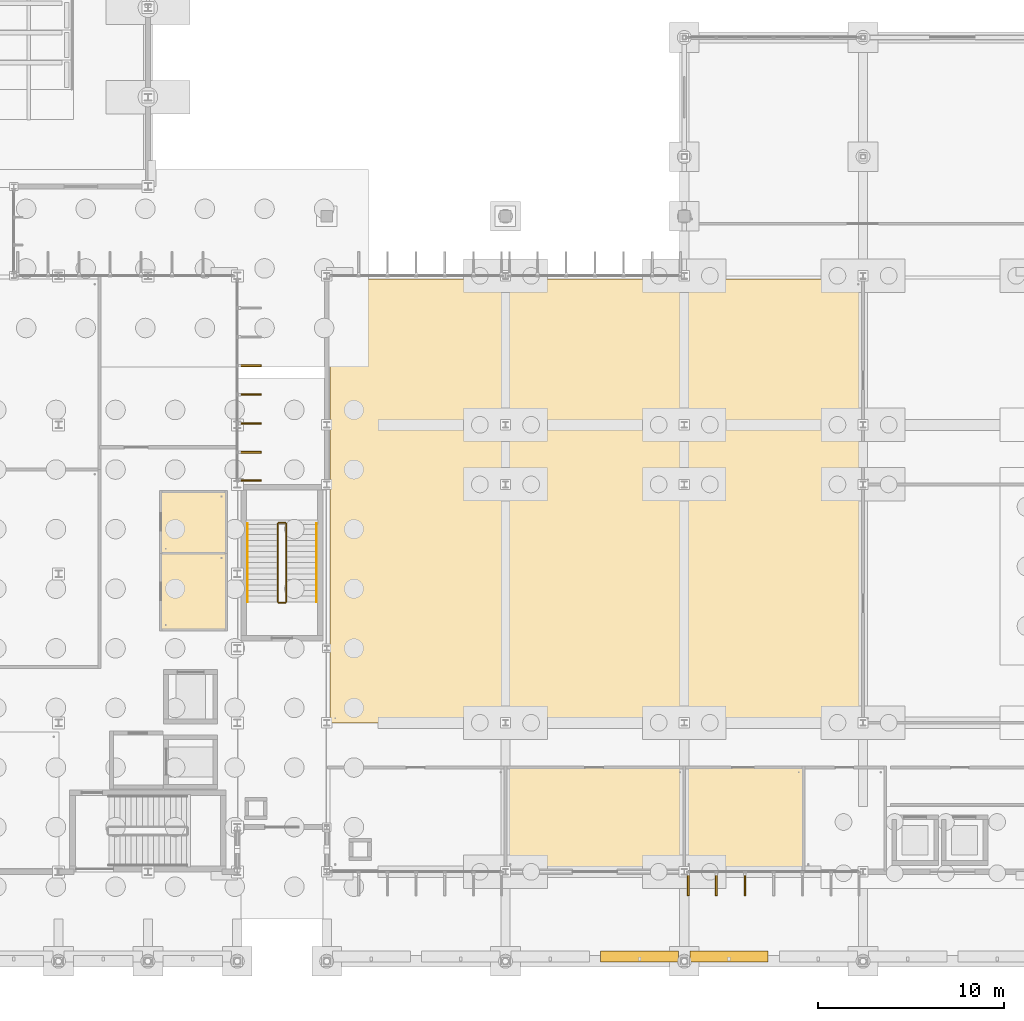
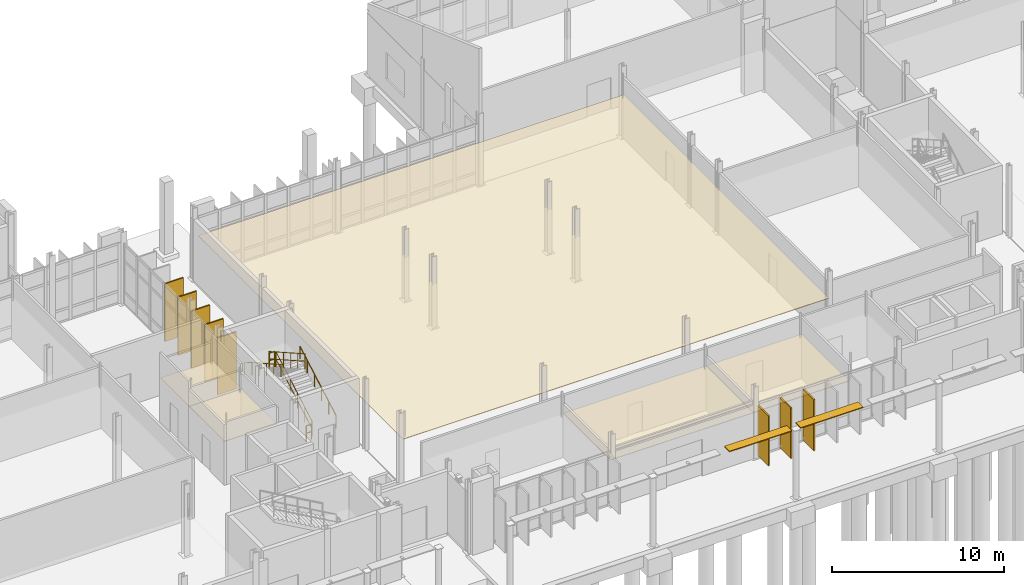
# One storey, part 103 of 111: 13 coverings, 6 railings, 2 shading devices.
"""IFC4 building model written with IfcOpenShell, lengths in metres."""

from ifc_helpers import new_model, si_unit, direction, frame, origin, origin_2d, place, context, subcontext, project, spatial, polyline, rectangle, circle, outline, extrude, material, layer, layer_set, type_object, element, save


model = new_model("IFC4")

# Units and contexts
model_context = context("Model", 3, precision=1e-05, world=origin(), true_north=direction((0.0, 1.0)))
body_context = subcontext(model_context, "Body", "Model", "MODEL_VIEW")
ifc_project = project(units=[si_unit("LENGTHUNIT", "METRE"), si_unit("AREAUNIT", "SQUARE_METRE"), si_unit("VOLUMEUNIT", "CUBIC_METRE"), si_unit("PLANEANGLEUNIT", "RADIAN"), si_unit("MASSUNIT", "GRAM", prefix="KILO")], contexts=[model_context])

# Site, building, storey
site_placement = place(None, origin())
site = spatial("IfcSite", under=ifc_project, at=site_placement, CompositionType="ELEMENT")
building_placement = place(site_placement, origin())
building = spatial("IfcBuilding", under=site, at=building_placement, Name="Dunescarp Central Library", CompositionType="ELEMENT")
storey_placement = place(building_placement, origin())
storey = spatial("IfcBuildingStorey", under=building, at=storey_placement, Name="L00", CompositionType="ELEMENT", Elevation=0.0)

# Coverings
ifc_material_1 = material(Name="Perforated birch acoustic timber baffle", Category="wood")
ifc_layer_1 = layer(ifc_material_1, 0.050048828125)
ifc_layer_set_1 = layer_set([ifc_layer_1], Name="Perforated birch acoustic timber baffle")
covering_type_1 = type_object("IfcCoveringType", Name="ARC-COV-BAFFLE", PredefinedType="CEILING", material=ifc_layer_set_1)
covering_1_placement = place(storey_placement, frame((0.0, 0.0, 3.050048828125)))
element("IfcCovering", 1, at=covering_1_placement, inside=storey, type_object=covering_type_1, Name="L00 ceiling L00 Periodical Reading Alcove", PredefinedType="CEILING", context=body_context, shape_type="SweptSolid", body=[
    extrude(outline(polyline([(57.580078125, 4.919921875), (64.02001953125, 4.919921875), (64.02001953125, 10.419921875), (57.580078125, 10.419921875), (57.580078125, 4.919921875)])), origin(), (0.0, 0.0, 1.0), 0.050048828125),
])
ifc_material_2 = material(Name="Mineral-fibre acoustic ceiling tile")
ifc_layer_2 = layer(ifc_material_2, 0.0400390625)
ifc_layer_set_2 = layer_set([ifc_layer_2], Name="Mineral-fibre acoustic ceiling tile")
covering_type_2 = type_object("IfcCoveringType", Name="ARC-COV-CEIL40", PredefinedType="CEILING", material=ifc_layer_set_2)
covering_2_placement = place(storey_placement, frame((0.0, 0.0, 3.050048828125)))
element("IfcCovering", 2, at=covering_2_placement, inside=storey, type_object=covering_type_2, Name="L00 ceiling Public Toilets", PredefinedType="CEILING", context=body_context, shape_type="SweptSolid", body=[
    extrude(outline(polyline([(29.47998046875, 17.780029296875), (33.02001953125, 17.780029296875), (33.02001953125, 21.919921875), (29.47998046875, 21.919921875), (29.47998046875, 17.780029296875)])), origin(), (0.0, 0.0, 1.0), 0.0400390625),
])
covering_3_placement = place(storey_placement, frame((0.0, 0.0, 3.050048828125)))
element("IfcCovering", 3, at=covering_3_placement, inside=storey, type_object=covering_type_2, Name="L00 ceiling Accessible Toilet", PredefinedType="CEILING", context=body_context, shape_type="SweptSolid", body=[
    extrude(outline(polyline([(29.47998046875, 21.8798828125), (33.02001953125, 21.8798828125), (33.02001953125, 25.219970703125), (29.47998046875, 25.219970703125), (29.47998046875, 21.8798828125)])), origin(), (0.0, 0.0, 1.0), 0.0400390625),
])
covering_4_placement = place(storey_placement, frame((0.0, 0.0, 3.050048828125)))
element("IfcCovering", 4, at=covering_4_placement, inside=storey, type_object=covering_type_2, Name="L00 ceiling L00 Group Study Room B", PredefinedType="CEILING", context=body_context, shape_type="SweptSolid", body=[
    extrude(outline(polyline([(47.97998046875, 4.919921875), (57.6201171875, 4.919921875), (57.6201171875, 10.419921875), (47.97998046875, 10.419921875), (47.97998046875, 4.919921875)])), origin(), (0.0, 0.0, 1.0), 0.0400390625),
])
covering_5_placement = place(storey_placement, frame((0.0, 0.0, 3.050048828125)))
element("IfcCovering", 5, at=covering_5_placement, inside=storey, type_object=covering_type_2, Name="L00 ceiling Central Book Checkout & Returns Hall", PredefinedType="CEILING", context=body_context, shape_type="SweptSolid", body=[
    extrude(outline(polyline([(38.580078125, 12.780029296875), (67.219970703125, 12.780029296875), (67.219970703125, 36.6201171875), (38.580078125, 36.6201171875), (38.580078125, 12.780029296875)])), origin(), (0.0, 0.0, 1.0), 0.0400390625),
])
ifc_material_3 = material(Name="Glass-fibre reinforced concrete GRC", Category="concrete")
ifc_layer_3 = layer(ifc_material_3, 0.090087890625)
ifc_layer_set_3 = layer_set([ifc_layer_3], Name="Glass-fibre reinforced concrete GRC")
covering_type_3 = type_object("IfcCoveringType", Name="ARC-COV-FIN1250", PredefinedType="CLADDING", material=ifc_layer_set_3)
covering_6_placement = place(storey_placement, frame((34.261962890625, 31.97509765625, 0.123046875), z_axis=(0.0, 0.0, 1.0), x_axis=(1.0, 0.0, 0.0)))
element("IfcCovering", 6, at=covering_6_placement, inside=storey, type_object=covering_type_3, Name="L00 parametric vertical facade fin FIN-L00-0029", PredefinedType="CLADDING", context=body_context, shape_type="SweptSolid", body=[
    extrude(rectangle(XDim=1.25, YDim=0.090087890625, at=origin_2d()), origin(), (0.0, 0.0, 1.0), 4.10205078125),
])
covering_7_placement = place(storey_placement, frame((34.261962890625, 30.425048828125, 0.080078125), z_axis=(0.0, 0.0, 1.0), x_axis=(1.0, 0.0, 0.0)))
element("IfcCovering", 7, at=covering_7_placement, inside=storey, type_object=covering_type_3, Name="L00 parametric vertical facade fin FIN-L00-0030", PredefinedType="CLADDING", context=body_context, shape_type="SweptSolid", body=[
    extrude(rectangle(XDim=1.25, YDim=0.090087890625, at=origin_2d()), origin(), (0.0, 0.0, 1.0), 4.134033203125),
])
covering_8_placement = place(storey_placement, frame((34.261962890625, 28.875, 0.080078125), z_axis=(0.0, 0.0, 1.0), x_axis=(1.0, 0.0, 0.0)))
element("IfcCovering", 8, at=covering_8_placement, inside=storey, type_object=covering_type_3, Name="L00 parametric vertical facade fin FIN-L00-0031", PredefinedType="CLADDING", context=body_context, shape_type="SweptSolid", body=[
    extrude(rectangle(XDim=1.25, YDim=0.090087890625, at=origin_2d()), origin(), (0.0, 0.0, 1.0), 4.083984375),
])
covering_9_placement = place(storey_placement, frame((34.261962890625, 27.324951171875, 0.08056640625), z_axis=(0.0, 0.0, 1.0), x_axis=(1.0, 0.0, 0.0)))
element("IfcCovering", 9, at=covering_9_placement, inside=storey, type_object=covering_type_3, Name="L00 parametric vertical facade fin FIN-L00-0032", PredefinedType="CLADDING", context=body_context, shape_type="SweptSolid", body=[
    extrude(rectangle(XDim=1.25, YDim=0.090087890625, at=origin_2d()), origin(), (0.0, 0.0, 1.0), 4.051025390625),
])
covering_10_placement = place(storey_placement, frame((34.261962890625, 25.81494140625, 0.07958984375), z_axis=(0.0, 0.0, 1.0), x_axis=(1.0, 0.0, 0.0)))
element("IfcCovering", 10, at=covering_10_placement, inside=storey, type_object=covering_type_3, Name="L00 parametric vertical facade fin FIN-L00-0033", PredefinedType="CLADDING", context=body_context, shape_type="SweptSolid", body=[
    extrude(rectangle(XDim=1.25, YDim=0.090087890625, at=origin_2d()), origin(), (0.0, 0.0, 1.0), 4.047119140625),
])
covering_11_placement = place(storey_placement, frame((60.85791015625, 4.137939453125, 0.080078125), z_axis=(0.0, 0.0, 1.0), x_axis=(0.0, -1.0, 0.0)))
element("IfcCovering", 11, at=covering_11_placement, inside=storey, type_object=covering_type_3, Name="L00 parametric vertical facade fin FIN-L00-0322", PredefinedType="CLADDING", context=body_context, shape_type="SweptSolid", body=[
    extrude(rectangle(XDim=1.25, YDim=0.090087890625, at=origin_2d()), origin(), (0.0, 0.0, 1.0), 3.634033203125),
])
covering_12_placement = place(storey_placement, frame((59.31689453125, 4.137939453125, 0.080078125), z_axis=(0.0, 0.0, 1.0), x_axis=(0.0, -1.0, 0.0)))
element("IfcCovering", 12, at=covering_12_placement, inside=storey, type_object=covering_type_3, Name="L00 parametric vertical facade fin FIN-L00-0323", PredefinedType="CLADDING", context=body_context, shape_type="SweptSolid", body=[
    extrude(rectangle(XDim=1.25, YDim=0.090087890625, at=origin_2d()), origin(), (0.0, 0.0, 1.0), 3.583984375),
])
covering_13_placement = place(storey_placement, frame((57.81494140625, 4.137939453125, 0.07958984375), z_axis=(0.0, 0.0, 1.0), x_axis=(0.0, -1.0, 0.0)))
element("IfcCovering", 13, at=covering_13_placement, inside=storey, type_object=covering_type_3, Name="L00 parametric vertical facade fin FIN-L00-0324", PredefinedType="CLADDING", context=body_context, shape_type="SweptSolid", body=[
    extrude(rectangle(XDim=1.25, YDim=0.090087890625, at=origin_2d()), origin(), (0.0, 0.0, 1.0), 3.551025390625),
])

# Railings
ifc_material_4 = material(Name="Stainless steel Grade 316L", Category="steel")
railing_type_1 = type_object("IfcRailingType", Name="ARC-RL-GUARD", PredefinedType="GUARDRAIL", material=ifc_material_4)
railing_1_placement = place(storey_placement, frame((36.22998046875, 19.300048828125, 0.169921875)))
element("IfcRailing", 14, at=railing_1_placement, inside=storey, type_object=railing_type_1, Name="L00 ST-2 stair guard 1", PredefinedType="GUARDRAIL", context=body_context, shape_type="SweptSolid", body=[
    extrude(circle(Radius=0.02392578125, at=origin_2d()), frame((0.0, 0.0, 1.076171875), z_axis=(0.0, 0.870008446991, 0.493036816236), x_axis=(-1.0, 0.0, 0.0)), (0.0, 0.0, 1.0), 4.827392578125),
    extrude(circle(Radius=0.02392578125, at=origin_2d()), frame((0.0, 0.0, 0.550048828125), z_axis=(0.0, 0.870008446991, 0.493036816236), x_axis=(-1.0, 0.0, 0.0)), (0.0, 0.0, 1.0), 4.827392578125),
    extrude(circle(Radius=0.02099609375, at=origin_2d()), origin(), (0.0, 0.0, 1.0), 1.052001953125),
    extrude(circle(Radius=0.02099609375, at=origin_2d()), frame((0.0, 0.840087890625, 0.47607421875)), (0.0, 0.0, 1.0), 1.052001953125),
    extrude(circle(Radius=0.02099609375, at=origin_2d()), frame((0.0, 1.679931640625, 0.9521484375)), (0.0, 0.0, 1.0), 1.052001953125),
    extrude(circle(Radius=0.02099609375, at=origin_2d()), frame((0.0, 2.52001953125, 1.427978515625)), (0.0, 0.0, 1.0), 1.052001953125),
    extrude(circle(Radius=0.02099609375, at=origin_2d()), frame((0.0, 3.35986328125, 1.904052734375)), (0.0, 0.0, 1.0), 1.052001953125),
    extrude(circle(Radius=0.02099609375, at=origin_2d()), frame((0.0, 4.199951171875, 2.380126953125)), (0.0, 0.0, 1.0), 1.052001953125),
])
railing_2_placement = place(storey_placement, frame((36.179931640625, 23.550048828125, 2.550048828125)))
element("IfcRailing", 15, at=railing_2_placement, inside=storey, type_object=railing_type_1, Name="L00 ST-2 stair guard 2", PredefinedType="GUARDRAIL", context=body_context, shape_type="SweptSolid", body=[
    extrude(circle(Radius=0.02392578125, at=origin_2d()), frame((0.0, 0.0, 1.076171875), z_axis=(-1.0, 0.0, 0.0), x_axis=(0.0, -1.0, 0.0)), (0.0, 0.0, 1.0), 0.35986328125),
    extrude(circle(Radius=0.02392578125, at=origin_2d()), frame((0.0, 0.0, 0.550048828125), z_axis=(-1.0, 0.0, 0.0), x_axis=(0.0, -1.0, 0.0)), (0.0, 0.0, 1.0), 0.35986328125),
    extrude(circle(Radius=0.02099609375, at=origin_2d()), origin(), (0.0, 0.0, 1.0), 1.052001953125),
    extrude(circle(Radius=0.02099609375, at=origin_2d()), frame((-0.35986328125, 0.0, 0.0)), (0.0, 0.0, 1.0), 1.052001953125),
])
railing_3_placement = place(storey_placement, frame((35.77001953125, 23.5, 2.719970703125)))
element("IfcRailing", 16, at=railing_3_placement, inside=storey, type_object=railing_type_1, Name="L00 ST-2 stair guard 3", PredefinedType="GUARDRAIL", context=body_context, shape_type="SweptSolid", body=[
    extrude(circle(Radius=0.02392578125, at=origin_2d()), frame((0.0, 0.0, 1.076171875), z_axis=(0.0, -0.870008446991, 0.493036816236), x_axis=(1.0, 0.0, 0.0)), (0.0, 0.0, 1.0), 4.827392578125),
    extrude(circle(Radius=0.02392578125, at=origin_2d()), frame((0.0, 0.0, 0.550048828125), z_axis=(0.0, -0.870008446991, 0.493036816236), x_axis=(1.0, 0.0, 0.0)), (0.0, 0.0, 1.0), 4.827392578125),
    extrude(circle(Radius=0.02099609375, at=origin_2d()), origin(), (0.0, 0.0, 1.0), 1.052001953125),
    extrude(circle(Radius=0.02099609375, at=origin_2d()), frame((0.0, -0.840087890625, 0.47607421875)), (0.0, 0.0, 1.0), 1.052001953125),
    extrude(circle(Radius=0.02099609375, at=origin_2d()), frame((0.0, -1.679931640625, 0.9521484375)), (0.0, 0.0, 1.0), 1.052001953125),
    extrude(circle(Radius=0.02099609375, at=origin_2d()), frame((0.0, -2.52001953125, 1.427978515625)), (0.0, 0.0, 1.0), 1.052001953125),
    extrude(circle(Radius=0.02099609375, at=origin_2d()), frame((0.0, -3.35986328125, 1.904052734375)), (0.0, 0.0, 1.0), 1.052001953125),
    extrude(circle(Radius=0.02099609375, at=origin_2d()), frame((0.0, -4.199951171875, 2.380126953125)), (0.0, 0.0, 1.0), 1.052001953125),
])
railing_4_placement = place(storey_placement, frame((36.179931640625, 19.25, 0.0)))
element("IfcRailing", 17, at=railing_4_placement, inside=storey, type_object=railing_type_1, Name="L00 ST-2 stair guard 4", PredefinedType="GUARDRAIL", context=body_context, shape_type="SweptSolid", body=[
    extrude(circle(Radius=0.02392578125, at=origin_2d()), frame((0.0, 0.0, 1.076171875), z_axis=(-1.0, 0.0, 0.0), x_axis=(0.0, -1.0, 0.0)), (0.0, 0.0, 1.0), 0.35986328125),
    extrude(circle(Radius=0.02392578125, at=origin_2d()), frame((0.0, 0.0, 0.550048828125), z_axis=(-1.0, 0.0, 0.0), x_axis=(0.0, -1.0, 0.0)), (0.0, 0.0, 1.0), 0.35986328125),
    extrude(circle(Radius=0.02099609375, at=origin_2d()), origin(), (0.0, 0.0, 1.0), 1.052001953125),
    extrude(circle(Radius=0.02099609375, at=origin_2d()), frame((-0.35986328125, 0.0, 0.0)), (0.0, 0.0, 1.0), 1.052001953125),
])
railing_type_2 = type_object("IfcRailingType", Name="ARC-RL-HAND", PredefinedType="HANDRAIL", material=ifc_material_4)
railing_5_placement = place(storey_placement, frame((37.85009765625, 19.300048828125, 0.169921875)))
element("IfcRailing", 18, at=railing_5_placement, inside=storey, type_object=railing_type_2, Name="L00 ST-2 stair handrail 1", PredefinedType="HANDRAIL", context=body_context, shape_type="SweptSolid", body=[
    extrude(circle(Radius=0.02392578125, at=origin_2d()), frame((0.0, 0.0, 0.8857421875), z_axis=(0.0, 0.870008446991, 0.493036816236), x_axis=(-1.0, 0.0, 0.0)), (0.0, 0.0, 1.0), 4.827392578125),
    extrude(circle(Radius=0.02099609375, at=origin_2d()), origin(), (0.0, 0.0, 1.0), 0.86181640625),
    extrude(circle(Radius=0.02099609375, at=origin_2d()), frame((0.0, 0.840087890625, 0.47607421875)), (0.0, 0.0, 1.0), 0.86181640625),
    extrude(circle(Radius=0.02099609375, at=origin_2d()), frame((0.0, 1.679931640625, 0.9521484375)), (0.0, 0.0, 1.0), 0.86181640625),
    extrude(circle(Radius=0.02099609375, at=origin_2d()), frame((0.0, 2.52001953125, 1.427978515625)), (0.0, 0.0, 1.0), 0.86181640625),
    extrude(circle(Radius=0.02099609375, at=origin_2d()), frame((0.0, 3.35986328125, 1.904052734375)), (0.0, 0.0, 1.0), 0.86181640625),
    extrude(circle(Radius=0.02099609375, at=origin_2d()), frame((0.0, 4.199951171875, 2.380126953125)), (0.0, 0.0, 1.0), 0.86181640625),
])
railing_6_placement = place(storey_placement, frame((34.14990234375, 23.5, 2.719970703125)))
element("IfcRailing", 19, at=railing_6_placement, inside=storey, type_object=railing_type_2, Name="L00 ST-2 stair handrail 2", PredefinedType="HANDRAIL", context=body_context, shape_type="SweptSolid", body=[
    extrude(circle(Radius=0.02392578125, at=origin_2d()), frame((0.0, 0.0, 0.8857421875), z_axis=(0.0, -0.870008446991, 0.493036816236), x_axis=(1.0, 0.0, 0.0)), (0.0, 0.0, 1.0), 4.827392578125),
    extrude(circle(Radius=0.02099609375, at=origin_2d()), origin(), (0.0, 0.0, 1.0), 0.86181640625),
    extrude(circle(Radius=0.02099609375, at=origin_2d()), frame((0.0, -0.840087890625, 0.47607421875)), (0.0, 0.0, 1.0), 0.86181640625),
    extrude(circle(Radius=0.02099609375, at=origin_2d()), frame((0.0, -1.679931640625, 0.9521484375)), (0.0, 0.0, 1.0), 0.86181640625),
    extrude(circle(Radius=0.02099609375, at=origin_2d()), frame((0.0, -2.52001953125, 1.427978515625)), (0.0, 0.0, 1.0), 0.86181640625),
    extrude(circle(Radius=0.02099609375, at=origin_2d()), frame((0.0, -3.35986328125, 1.904052734375)), (0.0, 0.0, 1.0), 0.86181640625),
    extrude(circle(Radius=0.02099609375, at=origin_2d()), frame((0.0, -4.199951171875, 2.380126953125)), (0.0, 0.0, 1.0), 0.86181640625),
])

# Shading devices
ifc_material_5 = material(Name="Marine-grade anodised aluminium 6063-T6", Category="aluminium")
ifc_layer_4 = layer(ifc_material_5, 0.06005859375)
ifc_layer_set_4 = layer_set([ifc_layer_4], Name="Marine-grade anodised aluminium 6063-T6")
shading_device_type = type_object("IfcShadingDeviceType", Name="ARC-SHD-LVR", PredefinedType="SHUTTER", material=ifc_layer_set_4)
for number, where, z_axis, x_axis, name in (
    (20, (55.199951171875, 0.25, 4.85986328125), (0.0, 0.0, 1.0), (1.0, 0.0, 0.0), "Colonnade sunshade louvre LVR-COL-011"),
    (21, (60.0, 0.25, 4.85986328125), (0.0, 0.0, 1.0), (1.0, 0.0, 0.0), "Colonnade sunshade louvre LVR-COL-012"),
):
    element("IfcShadingDevice", number, at=place(storey_placement, frame(where, z_axis=z_axis, x_axis=x_axis)), inside=storey, type_object=shading_device_type, Name=name, PredefinedType="SHUTTER", context=body_context, shape_type="SweptSolid", body=[
        extrude(rectangle(XDim=4.199951171875, YDim=0.60009765625, at=origin_2d()), origin(), (0.0, 0.0, 1.0), 0.06005859375),
    ])

save(model, "model.ifc")
